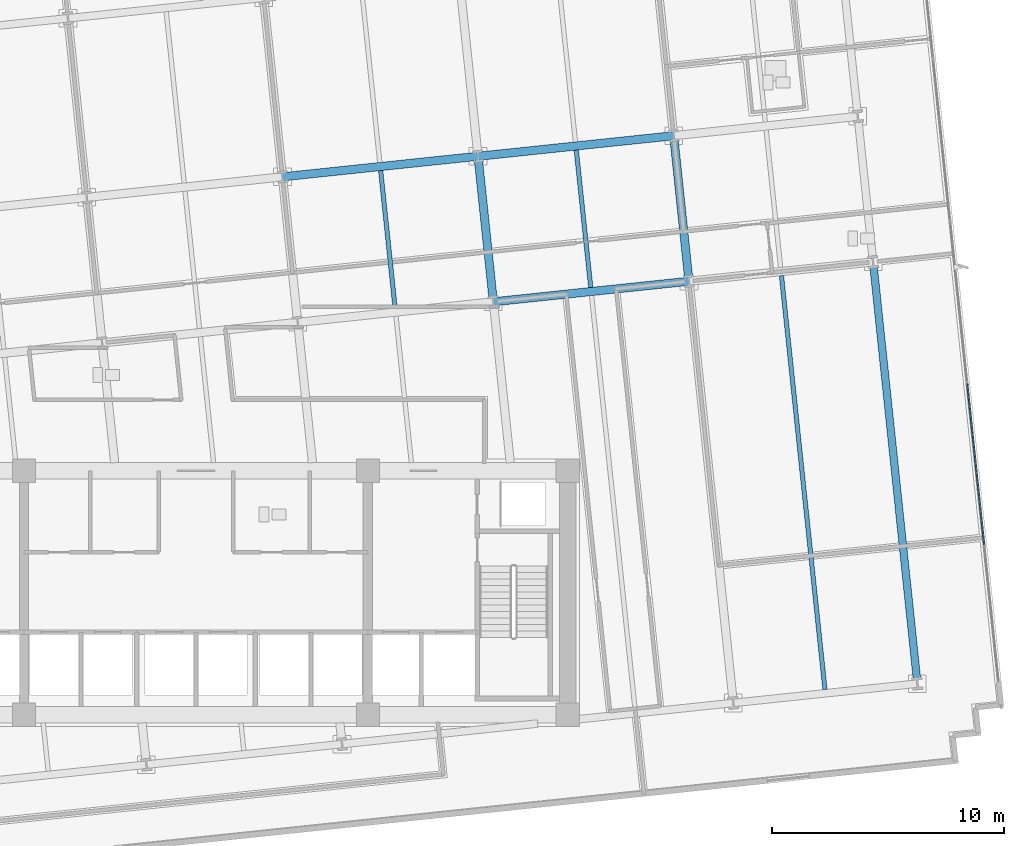
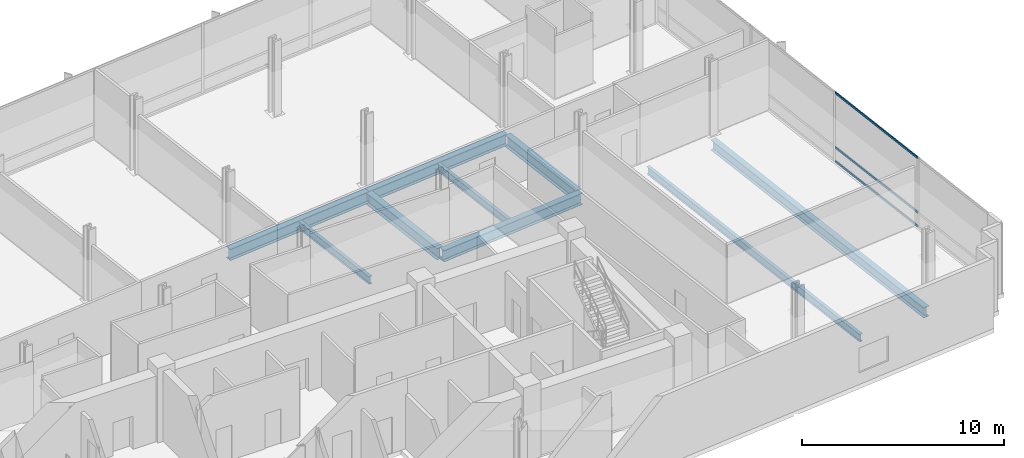
# One storey, part 7 of 20: 9 beams, 3 members, 1 element without a shape of its own.
"""IFC4 building model written with IfcOpenShell, lengths in metres."""

from ifc_helpers import new_model, si_unit, direction, frame, origin, origin_2d, place, context, subcontext, project, spatial, rectangle, i_section, extrude, material, material_profile, profile_set, type_object, element, aggregate, save


model = new_model("IFC4")

# Units and contexts
model_context = context("Model", 3, precision=1e-05, world=origin(), true_north=direction((0.0, 1.0)))
body_context = subcontext(model_context, "Body", "Model", "MODEL_VIEW")
ifc_project = project(units=[si_unit("LENGTHUNIT", "METRE"), si_unit("AREAUNIT", "SQUARE_METRE"), si_unit("VOLUMEUNIT", "CUBIC_METRE"), si_unit("PLANEANGLEUNIT", "RADIAN"), si_unit("MASSUNIT", "GRAM", prefix="KILO")], contexts=[model_context])

# Site, building, storey
site_placement = place(None, origin())
site = spatial("IfcSite", under=ifc_project, at=site_placement, CompositionType="ELEMENT")
building_placement = place(site_placement, origin())
building = spatial("IfcBuilding", under=site, at=building_placement, Name="Solmavex Isthmus Hotel", CompositionType="ELEMENT")
storey_placement = place(building_placement, frame((0.0, 0.0, 101.85009765625)))
storey = spatial("IfcBuildingStorey", under=building, at=storey_placement, Name="L27", CompositionType="ELEMENT", Elevation=101.85009765625)

# Beams
ifc_material_1 = material(Name="Steel ASTM A992 Grade 50", Category="steel")
ifc_material_profile_1 = material_profile(ifc_material_1, i_section(OverallWidth=0.354736328125, OverallDepth=0.695556640625, WebThickness=0.015380859375, FlangeThickness=0.02490234375, FilletRadius=0.017822265625, at=origin_2d()), Name="W27X146")
ifc_profile_set_1 = profile_set([ifc_material_profile_1], Name="Steel ASTM A992 Grade 50")
beam_type_1 = type_object("IfcBeamType", Name="BM-BG-W27X146", PredefinedType="BEAM", material=ifc_profile_set_1)
for number, where, z_axis, x_axis, name in (
    (1, (12.800048828125, 4.7734375, -0.60791015625), (0.994521085209, 0.104536171134, 0.0), (-0.104536171134, 0.994521085209, 0.0), "Floor Girder L27-UG11"),
    (2, (3.72216796875, 10.152099609375, -0.60791015625), (0.994524082861, 0.104507648572, 0.0), (-0.104507648572, 0.994524082861, 0.0), "Floor Girder L27-UG16"),
    (3, (12.141845703125, 11.036865234375, -0.60791015625), (0.994521085209, 0.104536171134, 0.0), (-0.104536171134, 0.994521085209, 0.0), "Floor Girder L27-UG17"),
):
    element("IfcBeam", number, at=place(storey_placement, frame(where, z_axis=z_axis, x_axis=x_axis)), inside=storey, type_object=beam_type_1, Name=name, PredefinedType="BEAM", context=body_context, shape_type="SweptSolid", body=[
        extrude(i_section(OverallWidth=0.354736328125, OverallDepth=0.695556640625, WebThickness=0.015380859375, FlangeThickness=0.02490234375, FilletRadius=0.017822265625, at=origin_2d()), origin(), (0.0, 0.0, 1.0), 8.466064453125),
    ])
for number, where, z_axis, x_axis, name in (
    (4, (12.781494140625, 4.949951171875, -0.60791015625), (-0.104505160346, 0.994524344328, 0.0), (-0.994524344328, -0.104505160346, 0.0), "Floor Beam L27-VG41"),
    (5, (21.201171875, 5.834716796875, -0.60791015625), (-0.104505160346, 0.994524344328, 0.0), (-0.994524344328, -0.104505160346, 0.0), "Floor Beam L27-VG44"),
):
    element("IfcBeam", number, at=place(storey_placement, frame(where, z_axis=z_axis, x_axis=x_axis)), inside=storey, type_object=beam_type_1, Name=name, PredefinedType="BEAM", context=body_context, shape_type="SweptSolid", body=[
        extrude(i_section(OverallWidth=0.354736328125, OverallDepth=0.695556640625, WebThickness=0.015380859375, FlangeThickness=0.02490234375, FilletRadius=0.017822265625, at=origin_2d()), origin(), (0.0, 0.0, 1.0), 5.943115234375),
    ])
ifc_material_profile_2 = material_profile(ifc_material_1, i_section(OverallWidth=0.1904296875, OverallDepth=0.456787109375, WebThickness=0.009033203125, FlangeThickness=0.014404296875, FilletRadius=0.0126953125, at=origin_2d()), Name="W18X50")
ifc_profile_set_2 = profile_set([ifc_material_profile_2], Name="Steel ASTM A992 Grade 50")
beam_type_2 = type_object("IfcBeamType", Name="BM-BJ-W18X50", PredefinedType="JOIST", material=ifc_profile_set_2)
for number, where, z_axis, x_axis, name in (
    (6, (8.57177734375, 4.50732421875, -0.488525390625), (-0.104545790518, 0.994520074048, 0.0), (-0.994520074048, -0.104545790518, 0.0), "Secondary Floor Joist L27-J14"),
    (7, (16.991455078125, 5.392333984375, -0.488525390625), (-0.104545790518, 0.994520074048, 0.0), (-0.994520074048, -0.104545790518, 0.0), "Secondary Floor Joist L27-J17"),
):
    element("IfcBeam", number, at=place(storey_placement, frame(where, z_axis=z_axis, x_axis=x_axis)), inside=storey, type_object=beam_type_2, Name=name, PredefinedType="JOIST", context=body_context, shape_type="SweptSolid", body=[
        extrude(i_section(OverallWidth=0.1904296875, OverallDepth=0.456787109375, WebThickness=0.009033203125, FlangeThickness=0.014404296875, FilletRadius=0.0126953125, at=origin_2d()), origin(), (0.0, 0.0, 1.0), 5.943115234375),
    ])
beam_1_placement = place(storey_placement, frame((27.072509765625, -11.912841796875, -0.488525390625), z_axis=(-0.104530088192, 0.99452172458, 0.0), x_axis=(-0.99452172458, -0.104530088192, 0.0)))
element("IfcBeam", 8, at=beam_1_placement, inside=storey, type_object=beam_type_2, Name="Secondary Floor Joist L27-J19", PredefinedType="JOIST", context=body_context, shape_type="SweptSolid", body=[
    extrude(i_section(OverallWidth=0.1904296875, OverallDepth=0.456787109375, WebThickness=0.009033203125, FlangeThickness=0.014404296875, FilletRadius=0.0126953125, at=origin_2d()), origin(), (0.0, 0.0, 1.0), 17.909423828125),
])
ifc_material_profile_3 = material_profile(ifc_material_1, i_section(OverallWidth=0.326416015625, OverallDepth=0.621826171875, WebThickness=0.015380859375, FlangeThickness=0.0244140625, FilletRadius=0.01513671875, at=origin_2d()), Name="W24X131")
ifc_profile_set_3 = profile_set([ifc_material_profile_3], Name="Steel ASTM A992 Grade 50")
beam_type_3 = type_object("IfcBeamType", Name="BM-SP-W24X131", PredefinedType="SPANDREL", material=ifc_profile_set_3)
beam_2_placement = place(storey_placement, frame((31.03466796875, -11.496337890625, -0.571044921875), z_axis=(-0.104530088192, 0.99452172458, 0.0), x_axis=(-0.99452172458, -0.104530088192, 0.0)))
element("IfcBeam", 9, at=beam_2_placement, inside=storey, type_object=beam_type_3, Name="Floor Beam L27-VG46", PredefinedType="SPANDREL", context=body_context, shape_type="SweptSolid", body=[
    extrude(i_section(OverallWidth=0.326416015625, OverallDepth=0.621826171875, WebThickness=0.015380859375, FlangeThickness=0.0244140625, FilletRadius=0.01513671875, at=origin_2d()), origin(), (0.0, 0.0, 1.0), 17.909423828125),
])

# Curtain wall, members
ifc_material_2 = material(Name="Aluminium alloy 6063-T6", Category="aluminium")
curtain_wall_type = type_object("IfcCurtainWallType", Name="CW-SYS-05", PredefinedType="NOTDEFINED", material=ifc_material_2)
curtain_wall_placement = place(storey_placement, origin())
curtain_wall = element("IfcCurtainWall", 10, at=curtain_wall_placement, inside=storey, type_object=curtain_wall_type, Name="Stick Curtain Wall CWL-L27-E1", PredefinedType="NOTDEFINED")
ifc_material_profile_4 = material_profile(ifc_material_2, rectangle(XDim=0.06494140625, YDim=0.125, at=origin_2d()), Name="CWT-65X125")
ifc_profile_set_4 = profile_set([ifc_material_profile_4], Name="Aluminium alloy 6063-T6")
member_type = type_object("IfcMemberType", Name="CW-SYS-05-TRN", PredefinedType="USERDEFINED", material=ifc_profile_set_4)
member_1_placement = place(storey_placement, frame((33.921875, -5.673583984375, 0.0625), z_axis=(-0.104534948973, 0.994521213672, 0.0), x_axis=(-0.994521213672, -0.104534948973, 0.0)))
member_1 = element("IfcMember", 11, at=member_1_placement, type_object=member_type, Name="CW-05 transom 2.1", ObjectType="TRANSOM", PredefinedType="USERDEFINED", context=body_context, shape_type="SweptSolid", body=[
    extrude(rectangle(XDim=0.06494140625, YDim=0.125, at=origin_2d()), origin(), (0.0, 0.0, 1.0), 6.955078125),
])
member_2_placement = place(storey_placement, frame((33.921875, -5.673583984375, 0.89990234375), z_axis=(-0.104534948973, 0.994521213672, 0.0), x_axis=(-0.994521213672, -0.104534948973, 0.0)))
member_2 = element("IfcMember", 12, at=member_2_placement, type_object=member_type, Name="CW-05 transom 2.2", ObjectType="TRANSOM", PredefinedType="USERDEFINED", context=body_context, shape_type="SweptSolid", body=[
    extrude(rectangle(XDim=0.06494140625, YDim=0.125, at=origin_2d()), origin(), (0.0, 0.0, 1.0), 6.955078125),
])
member_3_placement = place(storey_placement, frame((33.921875, -5.673583984375, 4.177490234375), z_axis=(-0.104534948973, 0.994521213672, 0.0), x_axis=(-0.994521213672, -0.104534948973, 0.0)))
member_3 = element("IfcMember", 13, at=member_3_placement, type_object=member_type, Name="CW-05 transom 2.3", ObjectType="TRANSOM", PredefinedType="USERDEFINED", context=body_context, shape_type="SweptSolid", body=[
    extrude(rectangle(XDim=0.06494140625, YDim=0.125, at=origin_2d()), origin(), (0.0, 0.0, 1.0), 6.955078125),
])
aggregate(curtain_wall, [member_1, member_2, member_3])

save(model, "model.ifc")
